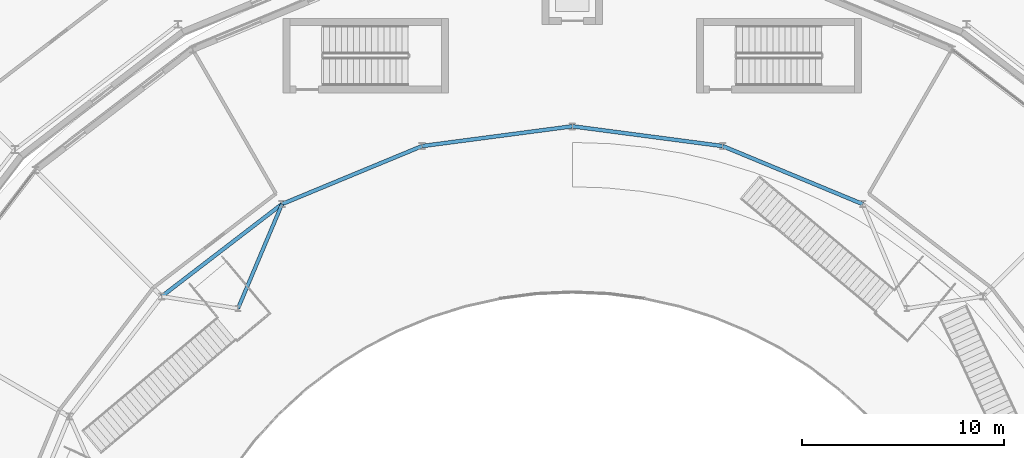
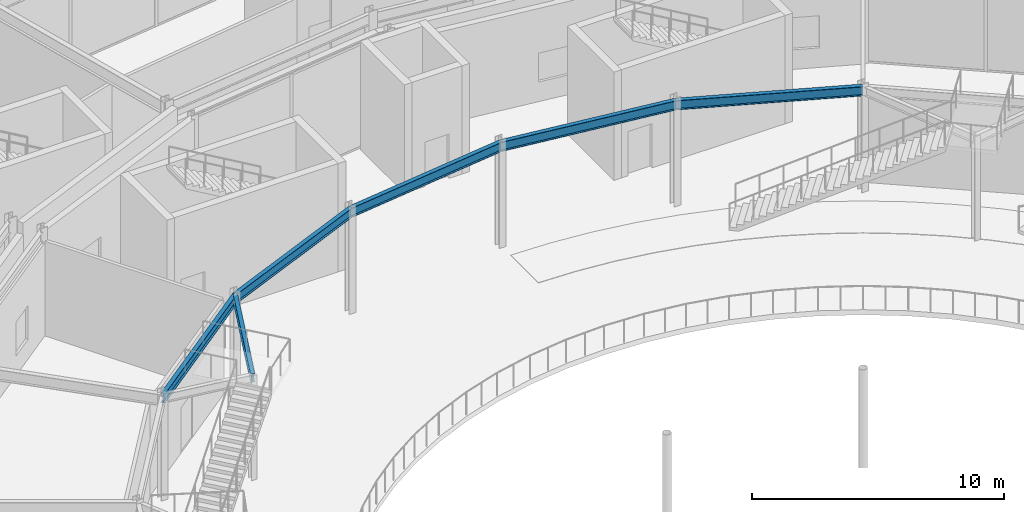
# One storey, part 79 of 168: 6 beams.
"""IFC4 building model written with IfcOpenShell, lengths in metres."""

from ifc_helpers import new_model, si_unit, direction, frame, origin, origin_2d, place, context, subcontext, project, spatial, i_section, extrude, material, material_profile, profile_set, type_object, element, save


model = new_model("IFC4")

# Units and contexts
model_context = context("Model", 3, precision=1e-05, world=origin(), true_north=direction((0.0, 1.0)))
body_context = subcontext(model_context, "Body", "Model", "MODEL_VIEW")
ifc_project = project(units=[si_unit("LENGTHUNIT", "METRE"), si_unit("AREAUNIT", "SQUARE_METRE"), si_unit("VOLUMEUNIT", "CUBIC_METRE"), si_unit("PLANEANGLEUNIT", "RADIAN"), si_unit("MASSUNIT", "GRAM", prefix="KILO")], contexts=[model_context])

# Site, building, storey
site_placement = place(None, origin())
site = spatial("IfcSite", under=ifc_project, at=site_placement, CompositionType="ELEMENT")
building_placement = place(site_placement, origin())
building = spatial("IfcBuilding", under=site, at=building_placement, Name="Almandine Court Research Institute", CompositionType="ELEMENT")
storey_placement = place(building_placement, origin())
storey = spatial("IfcBuildingStorey", under=building, at=storey_placement, Name="L00", CompositionType="ELEMENT", Elevation=0.0)

# Beams
ifc_material = material(Name="Steel ASTM A992 Grade 50", Category="steel")
ifc_material_profile_1 = material_profile(ifc_material, i_section(OverallWidth=0.18994140625, OverallDepth=0.45703125, WebThickness=0.009033203125, FlangeThickness=0.014892578125, at=origin_2d()), Name="W460x74")
ifc_profile_set_1 = profile_set([ifc_material_profile_1], Name="Steel ASTM A992 Grade 50")
beam_type_1 = type_object("IfcBeamType", Name="Beam-B-01", PredefinedType="BEAM", material=ifc_profile_set_1)
beam_1_placement = place(storey_placement, frame((101.39990234375, 80.94189453125, 4.841064453125), z_axis=(-0.923872366395, 0.382700732442, 0.0), x_axis=(-0.382700732442, -0.923872366395, 0.0)))
element("IfcBeam", 1, at=beam_1_placement, inside=storey, type_object=beam_type_1, Name="L00 Atrium Gallery Edge Beam", PredefinedType="BEAM", context=body_context, shape_type="SweptSolid", body=[
    extrude(i_section(OverallWidth=0.18994140625, OverallDepth=0.45703125, WebThickness=0.009033203125, FlangeThickness=0.014892578125, at=origin_2d()), origin(), (0.0, 0.0, 1.0), 7.51806640625),
])
for number, where, z_axis, x_axis, name in (
    (2, (94.4541015625, 83.819091796875, 4.841064453125), (-0.991451642713, 0.130474672489, 0.0), (-0.130474672489, -0.991451642713, 0.0), "L00 Atrium Gallery Edge Beam"),
    (3, (87.0, 84.800048828125, 4.841064453125), (-0.991451642713, -0.130474672489, 0.0), (0.130474672489, -0.991451642713, 0.0), "L00 Atrium Gallery Edge Beam"),
):
    element("IfcBeam", number, at=place(storey_placement, frame(where, z_axis=z_axis, x_axis=x_axis)), inside=storey, type_object=beam_type_1, Name=name, PredefinedType="BEAM", context=body_context, shape_type="SweptSolid", body=[
        extrude(i_section(OverallWidth=0.18994140625, OverallDepth=0.45703125, WebThickness=0.009033203125, FlangeThickness=0.014892578125, at=origin_2d()), origin(), (0.0, 0.0, 1.0), 7.518310546875),
    ])
beam_2_placement = place(storey_placement, frame((79.5458984375, 83.819091796875, 4.841064453125), z_axis=(-0.923872366395, -0.382700732442, 0.0), x_axis=(0.382700732442, -0.923872366395, 0.0)))
element("IfcBeam", 4, at=beam_2_placement, inside=storey, type_object=beam_type_1, Name="L00 Atrium Gallery Edge Beam", PredefinedType="BEAM", context=body_context, shape_type="SweptSolid", body=[
    extrude(i_section(OverallWidth=0.18994140625, OverallDepth=0.45703125, WebThickness=0.009033203125, FlangeThickness=0.014892578125, at=origin_2d()), origin(), (0.0, 0.0, 1.0), 7.51806640625),
])
beam_3_placement = place(storey_placement, frame((72.60009765625, 80.94189453125, 4.841064453125), z_axis=(-0.793370595297, -0.608738941187, 0.0), x_axis=(0.608738941187, -0.793370595297, 0.0)))
element("IfcBeam", 5, at=beam_3_placement, inside=storey, type_object=beam_type_1, Name="L00 Atrium Gallery Edge Beam", PredefinedType="BEAM", context=body_context, shape_type="SweptSolid", body=[
    extrude(i_section(OverallWidth=0.18994140625, OverallDepth=0.45703125, WebThickness=0.009033203125, FlangeThickness=0.014892578125, at=origin_2d()), origin(), (0.0, 0.0, 1.0), 7.5185546875),
])
ifc_material_profile_2 = material_profile(ifc_material, i_section(OverallWidth=0.178955078125, OverallDepth=0.409912109375, WebThickness=0.009033203125, FlangeThickness=0.013916015625, at=origin_2d()), Name="W410x67")
ifc_profile_set_2 = profile_set([ifc_material_profile_2], Name="Steel ASTM A992 Grade 50")
beam_type_2 = type_object("IfcBeamType", Name="Beam-B-02", PredefinedType="JOIST", material=ifc_profile_set_2)
beam_4_placement = place(storey_placement, frame((70.416015625, 75.763916015625, 4.864990234375), z_axis=(0.388643456673, 0.921388226311, 0.0), x_axis=(-0.921388226311, 0.388643456673, 0.0)))
element("IfcBeam", 6, at=beam_4_placement, inside=storey, type_object=beam_type_2, Name="L00 Atrium Stair 3 Landing Support Beam 1", PredefinedType="JOIST", context=body_context, shape_type="SweptSolid", body=[
    extrude(i_section(OverallWidth=0.178955078125, OverallDepth=0.409912109375, WebThickness=0.009033203125, FlangeThickness=0.013916015625, at=origin_2d()), origin(), (0.0, 0.0, 1.0), 5.619873046875),
])

save(model, "model.ifc")
